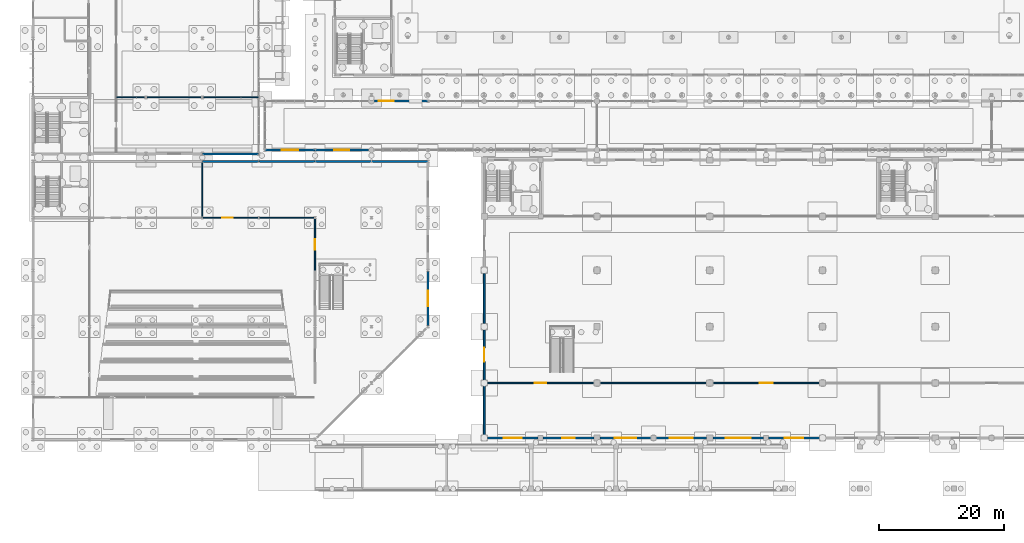
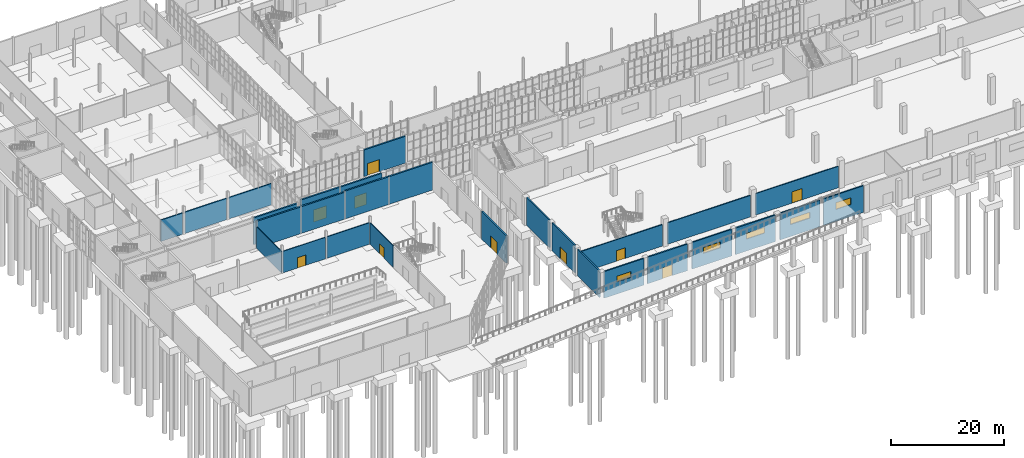
# One storey, part 99 of 131: 28 walls, 10 doors, 5 windows, 15 openings.
"""IFC4 building model written with IfcOpenShell, lengths in metres."""

from ifc_helpers import new_model, si_unit, direction, frame, frame_2d, origin, place, context, subcontext, project, spatial, rectangle, extrude, material, layer, layer_set, type_object, element, fill, save


model = new_model("IFC4")

# Units and contexts
model_context = context("Model", 3, precision=1e-05, world=origin(), true_north=direction((0.0, 1.0)))
body_context = subcontext(model_context, "Body", "Model", "MODEL_VIEW")
ifc_project = project(units=[si_unit("LENGTHUNIT", "METRE"), si_unit("AREAUNIT", "SQUARE_METRE"), si_unit("VOLUMEUNIT", "CUBIC_METRE"), si_unit("PLANEANGLEUNIT", "RADIAN"), si_unit("MASSUNIT", "GRAM", prefix="KILO")], contexts=[model_context])

# Site, building, storey
site_placement = place(None, origin())
site = spatial("IfcSite", under=ifc_project, at=site_placement, CompositionType="ELEMENT")
building_placement = place(site_placement, origin())
building = spatial("IfcBuilding", under=site, at=building_placement, Name="Cazmaro Siding Exhibition Halls", CompositionType="ELEMENT")
storey_placement = place(building_placement, origin())
storey = spatial("IfcBuildingStorey", under=building, at=storey_placement, Name="L00", CompositionType="ELEMENT", Elevation=0.0)

# Wall, opening, door
ifc_material_1 = material(Name="Concrete f'c 45 MPa", Category="concrete")
ifc_layer_1 = layer(ifc_material_1, 0.320068359375)
ifc_layer_set_1 = layer_set([ifc_layer_1], Name="Concrete f'c 45 MPa")
wall_type_1 = type_object("IfcWallType", Name="EW-01", PredefinedType="STANDARD", material=ifc_layer_set_1)
wall_1_placement = place(storey_placement, frame((44.987060546875, 55.199951171875, 0.0), z_axis=(0.0, 0.0, 1.0), x_axis=(-1.0, 0.0, 0.0)))
wall_1 = element("IfcWall", 1, at=wall_1_placement, inside=storey, type_object=wall_type_1, Name="Concourse Courtyard Portal Wall EW-01 WL-E0170", PredefinedType="STANDARD", context=body_context, shape_type="SweptSolid", body=[
    extrude(rectangle(XDim=7.97412109375, YDim=0.320068359375, at=frame_2d((3.987060546875, 0.0))), origin(), (0.0, 0.0, 1.0), 5.780029296875),
])
opening_1_placement = place(wall_1_placement, frame((2.68701171875, 0.0, 0.0)))
opening_1 = element("IfcOpeningElement", 2, at=opening_1_placement, cuts=wall_1, Name="Opening D-E037", PredefinedType="OPENING", context=body_context, shape_type="SweptSolid", body=[
    extrude(rectangle(XDim=2.60009765625, YDim=2.64990234375, at=frame_2d((1.300048828125, 1.324951171875))), frame((0.0, 0.169921875, 0.0), z_axis=(0.0, -1.0, 0.0), x_axis=(1.0, 0.0, 0.0)), (0.0, 0.0, 1.0), 0.340087890625),
])
ifc_material_2 = material(Name="Anodized Bronze Glazed Entrance Door", Category="aluminium")
door_type_1 = type_object("IfcDoorType", Name="ED-07", OperationType="DOUBLE_DOOR_SINGLE_SWING", PredefinedType="DOOR", material=ifc_material_2)
door_1_placement = place(opening_1_placement, origin())
door_1 = element("IfcDoor", 3, at=door_1_placement, inside=storey, type_object=door_type_1, Name="Exterior door D-E037 (ED-07)", OperationType="DOUBLE_DOOR_SINGLE_SWING", OverallHeight=2.64990234375, OverallWidth=2.60009765625, PredefinedType="DOOR", context=body_context, shape_type="SweptSolid", body=[
    extrude(rectangle(XDim=2.60009765625, YDim=2.64990234375, at=frame_2d((1.300048828125, 1.324951171875))), frame((0.0, 0.02490234375, 0.0), z_axis=(0.0, -1.0, 0.0), x_axis=(1.0, 0.0, 0.0)), (0.0, 0.0, 1.0), 0.050048828125),
])
fill(opening_1, door_1)

wall_2_placement = place(storey_placement, frame((53.56494140625, 55.199951171875, 0.0), z_axis=(0.0, 0.0, 1.0), x_axis=(-1.0, 0.0, 0.0)))
wall_2 = element("IfcWall", 4, at=wall_2_placement, inside=storey, type_object=wall_type_1, Name="Concourse Courtyard Portal Wall EW-01 WL-E0171", PredefinedType="STANDARD", context=body_context, shape_type="SweptSolid", body=[
    extrude(rectangle(XDim=8.552001953125, YDim=0.320068359375, at=frame_2d((4.27587890625, 0.0))), origin(), (0.0, 0.0, 1.0), 5.780029296875),
])
opening_2_placement = place(wall_2_placement, frame((3.075927734375, 0.0, 0.0)))
opening_2 = element("IfcOpeningElement", 5, at=opening_2_placement, cuts=wall_2, Name="Opening D-E038", PredefinedType="OPENING", context=body_context, shape_type="SweptSolid", body=[
    extrude(rectangle(XDim=2.39990234375, YDim=2.60009765625, at=frame_2d((1.199951171875, 1.300048828125))), frame((0.0, 0.169921875, 0.0), z_axis=(0.0, -1.0, 0.0), x_axis=(1.0, 0.0, 0.0)), (0.0, 0.0, 1.0), 0.340087890625),
])
ifc_material_3 = material(Name="Anodized Bronze Glazed Entrance Door", Category="aluminium")
door_type_2 = type_object("IfcDoorType", Name="ED-02", OperationType="DOUBLE_DOOR_SINGLE_SWING", PredefinedType="DOOR", material=ifc_material_3)
door_2_placement = place(opening_2_placement, origin())
door_2 = element("IfcDoor", 6, at=door_2_placement, inside=storey, type_object=door_type_2, Name="Exterior door D-E038 (ED-02)", OperationType="DOUBLE_DOOR_SINGLE_SWING", OverallHeight=2.60009765625, OverallWidth=2.39990234375, PredefinedType="DOOR", context=body_context, shape_type="SweptSolid", body=[
    extrude(rectangle(XDim=2.39990234375, YDim=2.60009765625, at=frame_2d((1.199951171875, 1.300048828125))), frame((0.0, 0.02490234375, 0.0), z_axis=(0.0, -1.0, 0.0), x_axis=(1.0, 0.0, 0.0)), (0.0, 0.0, 1.0), 0.050048828125),
])
fill(opening_2, door_2)

wall_3_placement = place(storey_placement, frame((54.43505859375, 63.0, 0.0), z_axis=(0.0, 0.0, 1.0), x_axis=(1.0, 0.0, 0.0)))
wall_3 = element("IfcWall", 7, at=wall_3_placement, inside=storey, type_object=wall_type_1, Name="Concourse North Colonnade Portal Wall EW-01 WL-E0172", PredefinedType="STANDARD", context=body_context, shape_type="SweptSolid", body=[
    extrude(rectangle(XDim=8.552001953125, YDim=0.320068359375, at=frame_2d((4.27587890625, 0.0))), origin(), (0.0, 0.0, 1.0), 5.780029296875),
])
opening_3_placement = place(wall_3_placement, frame((0.715087890625, 0.0, 0.0)))
opening_3 = element("IfcOpeningElement", 8, at=opening_3_placement, cuts=wall_3, Name="Opening D-E039", PredefinedType="OPENING", context=body_context, shape_type="SweptSolid", body=[
    extrude(rectangle(XDim=2.39990234375, YDim=2.60009765625, at=frame_2d((1.199951171875, 1.300048828125))), frame((0.0, 0.169921875, 0.0), z_axis=(0.0, -1.0, 0.0), x_axis=(1.0, 0.0, 0.0)), (0.0, 0.0, 1.0), 0.340087890625),
])
door_3_placement = place(opening_3_placement, origin())
door_3 = element("IfcDoor", 9, at=door_3_placement, inside=storey, type_object=door_type_2, Name="Exterior door D-E039 (ED-02)", OperationType="DOUBLE_DOOR_SINGLE_SWING", OverallHeight=2.60009765625, OverallWidth=2.39990234375, PredefinedType="DOOR", context=body_context, shape_type="SweptSolid", body=[
    extrude(rectangle(XDim=2.39990234375, YDim=2.60009765625, at=frame_2d((1.199951171875, 1.300048828125))), frame((0.0, 0.02490234375, 0.0), z_axis=(0.0, -1.0, 0.0), x_axis=(1.0, 0.0, 0.0)), (0.0, 0.0, 1.0), 0.050048828125),
])
fill(opening_3, door_3)

wall_4_placement = place(storey_placement, frame((63.0, 35.820068359375, 0.0), z_axis=(0.0, 0.0, 1.0), x_axis=(0.0, -1.0, 0.0)))
wall_4 = element("IfcWall", 10, at=wall_4_placement, inside=storey, type_object=wall_type_1, Name="Congress Plaza Entrance Wall EW-01 WL-E0202", PredefinedType="STANDARD", context=body_context, shape_type="SweptSolid", body=[
    extrude(rectangle(XDim=8.64013671875, YDim=0.320068359375, at=frame_2d((4.320068359375, 0.0))), origin(), (0.0, 0.0, 1.0), 6.0),
])
opening_4_placement = place(wall_4_placement, frame((3.1201171875, 0.0, 0.0)))
opening_4 = element("IfcOpeningElement", 11, at=opening_4_placement, cuts=wall_4, Name="Opening D-E056", PredefinedType="OPENING", context=body_context, shape_type="SweptSolid", body=[
    extrude(rectangle(XDim=2.39990234375, YDim=2.60009765625, at=frame_2d((1.199951171875, 1.300048828125))), frame((0.0, 0.169921875, 0.0), z_axis=(0.0, -1.0, 0.0), x_axis=(1.0, 0.0, 0.0)), (0.0, 0.0, 1.0), 0.340087890625),
])
door_4_placement = place(opening_4_placement, origin())
door_4 = element("IfcDoor", 12, at=door_4_placement, inside=storey, type_object=door_type_2, Name="Exterior door D-E056 (ED-02)", OperationType="DOUBLE_DOOR_SINGLE_SWING", OverallHeight=2.60009765625, OverallWidth=2.39990234375, PredefinedType="DOOR", context=body_context, shape_type="SweptSolid", body=[
    extrude(rectangle(XDim=2.39990234375, YDim=2.60009765625, at=frame_2d((1.199951171875, 1.300048828125))), frame((0.0, 0.02490234375, 0.0), z_axis=(0.0, -1.0, 0.0), x_axis=(1.0, 0.0, 0.0)), (0.0, 0.0, 1.0), 0.050048828125),
])
fill(opening_4, door_4)

# Walls
for number, where, z_axis, x_axis, name in (
    (13, (27.014892578125, 53.39990234375, 0.0), (0.0, 0.0, 1.0), (1.0, 0.0, 0.0), "Congress North Seismic Wall EW-01 WL-E0229"),
    (14, (36.014892578125, 53.39990234375, 0.0), (0.0, 0.0, 1.0), (1.0, 0.0, 0.0), "Congress North Seismic Wall EW-01 WL-E0232"),
):
    element("IfcWall", number, at=place(storey_placement, frame(where, z_axis=z_axis, x_axis=x_axis)), inside=storey, type_object=wall_type_1, Name=name, PredefinedType="STANDARD", context=body_context, shape_type="SweptSolid", body=[
        extrude(rectangle(XDim=8.97021484375, YDim=0.320068359375, at=frame_2d((4.485107421875, 0.0))), origin(), (0.0, 0.0, 1.0), 5.780029296875),
    ])
for number, where, z_axis, x_axis, name in (
    (15, (45.014892578125, 53.39990234375, 0.0), (0.0, 0.0, 1.0), (1.0, 0.0, 0.0), "Congress North Seismic Wall EW-01 WL-E0235"),
    (16, (54.014892578125, 53.39990234375, 0.0), (0.0, 0.0, 1.0), (1.0, 0.0, 0.0), "Congress North Seismic Wall EW-01 WL-E0238"),
):
    element("IfcWall", number, at=place(storey_placement, frame(where, z_axis=z_axis, x_axis=x_axis)), inside=storey, type_object=wall_type_1, Name=name, PredefinedType="STANDARD", context=body_context, shape_type="SweptSolid", body=[
        extrude(rectangle(XDim=8.97021484375, YDim=0.320068359375, at=frame_2d((4.485107421875, 0.0))), origin(), (0.0, 0.0, 1.0), 6.0),
    ])
wall_5_placement = place(storey_placement, frame((35.97802734375, 54.60009765625, 0.0), z_axis=(0.0, 0.0, 1.0), x_axis=(-1.0, 0.0, 0.0)))
element("IfcWall", 17, at=wall_5_placement, inside=storey, type_object=wall_type_1, Name="West Wing South Seismic Wall L00 EW-01 WL-E0254", PredefinedType="STANDARD", context=body_context, shape_type="SweptSolid", body=[
    extrude(rectangle(XDim=8.9560546875, YDim=0.320068359375, at=frame_2d((4.47802734375, 0.0))), origin(), (0.0, 0.0, 1.0), 5.780029296875),
])

# Wall, opening, window
ifc_material_4 = material(Name="Precast concrete f'c 40 MPa", Category="concrete")
ifc_layer_2 = layer(ifc_material_4, 0.280029296875)
ifc_layer_set_2 = layer_set([ifc_layer_2], Name="Precast concrete f'c 40 MPa")
wall_type_2 = type_object("IfcWallType", Name="EW-02", PredefinedType="STANDARD", material=ifc_layer_set_2)
wall_6_placement = place(storey_placement, frame((80.60791015625, 9.25, 0.0), z_axis=(0.0, 0.0, 1.0), x_axis=(-1.0, 0.0, 0.0)))
wall_6 = element("IfcWall", 18, at=wall_6_placement, inside=storey, type_object=wall_type_2, Name="Hall B1 South Precast Wall EW-02 WL-E0036", PredefinedType="STANDARD", context=body_context, shape_type="SweptSolid", body=[
    extrude(rectangle(XDim=8.115966796875, YDim=0.280029296875, at=frame_2d((4.05810546875, 0.0))), origin(), (0.0, 0.0, 1.0), 5.75),
])
opening_5_placement = place(wall_6_placement, frame((2.657958984375, 0.0, 2.60009765625)))
opening_5 = element("IfcOpeningElement", 19, at=opening_5_placement, cuts=wall_6, Name="Opening W-018", PredefinedType="OPENING", context=body_context, shape_type="SweptSolid", body=[
    extrude(rectangle(XDim=2.800048828125, YDim=1.25, at=frame_2d((1.39990234375, 0.625))), frame((0.0, 0.14990234375, 0.0), z_axis=(0.0, -1.0, 0.0), x_axis=(1.0, 0.0, 0.0)), (0.0, 0.0, 1.0), 0.300048828125),
])
ifc_material_5 = material(Name="Thermally Broken Aluminum Low-E Window Unit", Category="aluminium")
window_type_1 = type_object("IfcWindowType", Name="WT-19", PartitioningType="SINGLE_PANEL", PredefinedType="WINDOW", material=ifc_material_5)
window_1_placement = place(opening_5_placement, origin())
window_1 = element("IfcWindow", 20, at=window_1_placement, inside=storey, type_object=window_type_1, Name="Window W-018 (WT-19)", OverallHeight=1.25, OverallWidth=2.800048828125, PartitioningType="SINGLE_PANEL", PredefinedType="WINDOW", context=body_context, shape_type="SweptSolid", body=[
    extrude(rectangle(XDim=2.800048828125, YDim=1.25, at=frame_2d((1.39990234375, 0.625))), frame((0.0, 0.030029296875, 0.0), z_axis=(0.0, -1.0, 0.0), x_axis=(1.0, 0.0, 0.0)), (0.0, 0.0, 1.0), 0.06005859375),
])
fill(opening_5, window_1)

# Wall, opening, door
wall_7_placement = place(storey_placement, frame((89.508056640625, 9.25, 0.0), z_axis=(0.0, 0.0, 1.0), x_axis=(-1.0, 0.0, 0.0)))
wall_7 = element("IfcWall", 21, at=wall_7_placement, inside=storey, type_object=wall_type_2, Name="Hall B1 South Precast Wall EW-02 WL-E0042", PredefinedType="STANDARD", context=body_context, shape_type="SweptSolid", body=[
    extrude(rectangle(XDim=8.115966796875, YDim=0.280029296875, at=frame_2d((4.05810546875, 0.0))), origin(), (0.0, 0.0, 1.0), 5.75),
])
opening_6_placement = place(wall_7_placement, frame((3.05810546875, 0.0, 0.0)))
opening_6 = element("IfcOpeningElement", 22, at=opening_6_placement, cuts=wall_7, Name="Opening D-E014", PredefinedType="OPENING", context=body_context, shape_type="SweptSolid", body=[
    extrude(rectangle(XDim=2.0, YDim=2.39990234375, at=frame_2d((1.0, 1.199951171875))), frame((0.0, 0.14990234375, 0.0), z_axis=(0.0, -1.0, 0.0), x_axis=(1.0, 0.0, 0.0)), (0.0, 0.0, 1.0), 0.300048828125),
])
ifc_material_6 = material(Name="Anodized Bronze Glazed Entrance Door", Category="aluminium")
door_type_3 = type_object("IfcDoorType", Name="ED-01", OperationType="DOUBLE_DOOR_SINGLE_SWING", PredefinedType="DOOR", material=ifc_material_6)
door_5_placement = place(opening_6_placement, origin())
door_5 = element("IfcDoor", 23, at=door_5_placement, inside=storey, type_object=door_type_3, Name="Exterior door D-E014 (ED-01)", OperationType="DOUBLE_DOOR_SINGLE_SWING", OverallHeight=2.39990234375, OverallWidth=2.0, PredefinedType="DOOR", context=body_context, shape_type="SweptSolid", body=[
    extrude(rectangle(XDim=2.0, YDim=2.39990234375, at=frame_2d((1.0, 1.199951171875))), frame((0.0, 0.02490234375, 0.0), z_axis=(0.0, -1.0, 0.0), x_axis=(1.0, 0.0, 0.0)), (0.0, 0.0, 1.0), 0.050048828125),
])
fill(opening_6, door_5)

# Wall, opening, window
wall_8_placement = place(storey_placement, frame((98.60791015625, 9.25, 0.0), z_axis=(0.0, 0.0, 1.0), x_axis=(-1.0, 0.0, 0.0)))
wall_8 = element("IfcWall", 24, at=wall_8_placement, inside=storey, type_object=wall_type_2, Name="Hall B1 South Precast Wall EW-02 WL-E0048", PredefinedType="STANDARD", context=body_context, shape_type="SweptSolid", body=[
    extrude(rectangle(XDim=8.115966796875, YDim=0.280029296875, at=frame_2d((4.05810546875, 0.0))), origin(), (0.0, 0.0, 1.0), 5.75),
])
opening_7_placement = place(wall_8_placement, frame((2.35791015625, 0.0, 2.60009765625)))
opening_7 = element("IfcOpeningElement", 25, at=opening_7_placement, cuts=wall_8, Name="Opening W-022", PredefinedType="OPENING", context=body_context, shape_type="SweptSolid", body=[
    extrude(rectangle(XDim=3.39990234375, YDim=1.25, at=frame_2d((1.699951171875, 0.625))), frame((0.0, 0.14990234375, 0.0), z_axis=(0.0, -1.0, 0.0), x_axis=(1.0, 0.0, 0.0)), (0.0, 0.0, 1.0), 0.300048828125),
])
ifc_material_7 = material(Name="Thermally Broken Aluminum Low-E Window Unit", Category="aluminium")
window_type_2 = type_object("IfcWindowType", Name="WT-21", PartitioningType="SINGLE_PANEL", PredefinedType="WINDOW", material=ifc_material_7)
window_2_placement = place(opening_7_placement, origin())
window_2 = element("IfcWindow", 26, at=window_2_placement, inside=storey, type_object=window_type_2, Name="Window W-022 (WT-21)", OverallHeight=1.25, OverallWidth=3.39990234375, PartitioningType="SINGLE_PANEL", PredefinedType="WINDOW", context=body_context, shape_type="SweptSolid", body=[
    extrude(rectangle(XDim=3.39990234375, YDim=1.25, at=frame_2d((1.699951171875, 0.625))), frame((0.0, 0.030029296875, 0.0), z_axis=(0.0, -1.0, 0.0), x_axis=(1.0, 0.0, 0.0)), (0.0, 0.0, 1.0), 0.06005859375),
])
fill(opening_7, window_2)

wall_9_placement = place(storey_placement, frame((107.508056640625, 9.25, 0.0), z_axis=(0.0, 0.0, 1.0), x_axis=(-1.0, 0.0, 0.0)))
wall_9 = element("IfcWall", 27, at=wall_9_placement, inside=storey, type_object=wall_type_2, Name="Hall B1 South Precast Wall EW-02 WL-E0054", PredefinedType="STANDARD", context=body_context, shape_type="SweptSolid", body=[
    extrude(rectangle(XDim=8.115966796875, YDim=0.280029296875, at=frame_2d((4.05810546875, 0.0))), origin(), (0.0, 0.0, 1.0), 5.75),
])
opening_8_placement = place(wall_9_placement, frame((2.2080078125, 0.0, 2.60009765625)))
opening_8 = element("IfcOpeningElement", 28, at=opening_8_placement, cuts=wall_9, Name="Opening W-025", PredefinedType="OPENING", context=body_context, shape_type="SweptSolid", body=[
    extrude(rectangle(XDim=3.699951171875, YDim=1.25, at=frame_2d((1.85009765625, 0.625))), frame((0.0, 0.14990234375, 0.0), z_axis=(0.0, -1.0, 0.0), x_axis=(1.0, 0.0, 0.0)), (0.0, 0.0, 1.0), 0.300048828125),
])
ifc_material_8 = material(Name="Thermally Broken Aluminum Low-E Window Unit", Category="aluminium")
window_type_3 = type_object("IfcWindowType", Name="WT-22", PartitioningType="SINGLE_PANEL", PredefinedType="WINDOW", material=ifc_material_8)
window_3_placement = place(opening_8_placement, origin())
window_3 = element("IfcWindow", 29, at=window_3_placement, inside=storey, type_object=window_type_3, Name="Window W-025 (WT-22)", OverallHeight=1.25, OverallWidth=3.699951171875, PartitioningType="SINGLE_PANEL", PredefinedType="WINDOW", context=body_context, shape_type="SweptSolid", body=[
    extrude(rectangle(XDim=3.699951171875, YDim=1.25, at=frame_2d((1.85009765625, 0.625))), frame((0.0, 0.030029296875, 0.0), z_axis=(0.0, -1.0, 0.0), x_axis=(1.0, 0.0, 0.0)), (0.0, 0.0, 1.0), 0.06005859375),
])
fill(opening_8, window_3)

wall_10_placement = place(storey_placement, frame((116.60791015625, 9.25, 0.0), z_axis=(0.0, 0.0, 1.0), x_axis=(-1.0, 0.0, 0.0)))
wall_10 = element("IfcWall", 30, at=wall_10_placement, inside=storey, type_object=wall_type_2, Name="Hall B1 South Precast Wall EW-02 WL-E0060", PredefinedType="STANDARD", context=body_context, shape_type="SweptSolid", body=[
    extrude(rectangle(XDim=8.115966796875, YDim=0.280029296875, at=frame_2d((4.05810546875, 0.0))), origin(), (0.0, 0.0, 1.0), 5.75),
])
opening_9_placement = place(wall_10_placement, frame((2.05810546875, 0.0, 2.60009765625)))
opening_9 = element("IfcOpeningElement", 31, at=opening_9_placement, cuts=wall_10, Name="Opening W-028", PredefinedType="OPENING", context=body_context, shape_type="SweptSolid", body=[
    extrude(rectangle(XDim=4.0, YDim=1.25, at=frame_2d((2.0, 0.625))), frame((0.0, 0.14990234375, 0.0), z_axis=(0.0, -1.0, 0.0), x_axis=(1.0, 0.0, 0.0)), (0.0, 0.0, 1.0), 0.300048828125),
])
ifc_material_9 = material(Name="Thermally Broken Aluminum Low-E Window Unit", Category="aluminium")
window_type_4 = type_object("IfcWindowType", Name="WT-23", PartitioningType="SINGLE_PANEL", PredefinedType="WINDOW", material=ifc_material_9)
window_4_placement = place(opening_9_placement, origin())
window_4 = element("IfcWindow", 32, at=window_4_placement, inside=storey, type_object=window_type_4, Name="Window W-028 (WT-23)", OverallHeight=1.25, OverallWidth=4.0, PartitioningType="SINGLE_PANEL", PredefinedType="WINDOW", context=body_context, shape_type="SweptSolid", body=[
    extrude(rectangle(XDim=4.0, YDim=1.25, at=frame_2d((2.0, 0.625))), frame((0.0, 0.030029296875, 0.0), z_axis=(0.0, -1.0, 0.0), x_axis=(1.0, 0.0, 0.0)), (0.0, 0.0, 1.0), 0.06005859375),
])
fill(opening_9, window_4)

wall_11_placement = place(storey_placement, frame((125.508056640625, 9.25, 0.0), z_axis=(0.0, 0.0, 1.0), x_axis=(-1.0, 0.0, 0.0)))
wall_11 = element("IfcWall", 33, at=wall_11_placement, inside=storey, type_object=wall_type_2, Name="Hall B1 South Precast Wall EW-02 WL-E0066", PredefinedType="STANDARD", context=body_context, shape_type="SweptSolid", body=[
    extrude(rectangle(XDim=8.115966796875, YDim=0.280029296875, at=frame_2d((4.05810546875, 0.0))), origin(), (0.0, 0.0, 1.0), 5.75),
])
opening_10_placement = place(wall_11_placement, frame((2.55810546875, 0.0, 2.60009765625)))
opening_10 = element("IfcOpeningElement", 34, at=opening_10_placement, cuts=wall_11, Name="Opening W-030", PredefinedType="OPENING", context=body_context, shape_type="SweptSolid", body=[
    extrude(rectangle(XDim=3.0, YDim=1.449951171875, at=frame_2d((1.5, 0.72509765625))), frame((0.0, 0.14990234375, 0.0), z_axis=(0.0, -1.0, 0.0), x_axis=(1.0, 0.0, 0.0)), (0.0, 0.0, 1.0), 0.300048828125),
])
ifc_material_10 = material(Name="Thermally Broken Aluminum Low-E Window Unit", Category="aluminium")
window_type_5 = type_object("IfcWindowType", Name="WT-24", PartitioningType="SINGLE_PANEL", PredefinedType="WINDOW", material=ifc_material_10)
window_5_placement = place(opening_10_placement, origin())
window_5 = element("IfcWindow", 35, at=window_5_placement, inside=storey, type_object=window_type_5, Name="Window W-030 (WT-24)", OverallHeight=1.449951171875, OverallWidth=3.0, PartitioningType="SINGLE_PANEL", PredefinedType="WINDOW", context=body_context, shape_type="SweptSolid", body=[
    extrude(rectangle(XDim=3.0, YDim=1.449951171875, at=frame_2d((1.5, 0.72509765625))), frame((0.0, 0.030029296875, 0.0), z_axis=(0.0, -1.0, 0.0), x_axis=(1.0, 0.0, 0.0)), (0.0, 0.0, 1.0), 0.06005859375),
])
fill(opening_10, window_5)

# Wall
wall_12_placement = place(storey_placement, frame((72.0, 9.741943359375, 0.0), z_axis=(0.0, 0.0, 1.0), x_axis=(0.0, 1.0, 0.0)))
element("IfcWall", 36, at=wall_12_placement, inside=storey, type_object=wall_type_2, Name="Hall B1 West Wall EW-02 WL-E0126", PredefinedType="STANDARD", context=body_context, shape_type="SweptSolid", body=[
    extrude(rectangle(XDim=7.76611328125, YDim=0.280029296875, at=frame_2d((3.883056640625, 0.0))), origin(), (0.0, 0.0, 1.0), 5.75),
])

# Wall, opening, door
wall_13_placement = place(storey_placement, frame((72.0, 18.491943359375, 0.0), z_axis=(0.0, 0.0, 1.0), x_axis=(0.0, 1.0, 0.0)))
wall_13 = element("IfcWall", 37, at=wall_13_placement, inside=storey, type_object=wall_type_2, Name="Hall B1 West Wall EW-02 WL-E0132", PredefinedType="STANDARD", context=body_context, shape_type="SweptSolid", body=[
    extrude(rectangle(XDim=8.01611328125, YDim=0.280029296875, at=frame_2d((4.008056640625, 0.0))), origin(), (0.0, 0.0, 1.0), 6.0),
])
opening_11_placement = place(wall_13_placement, frame((2.907958984375, 0.0, 0.0)))
opening_11 = element("IfcOpeningElement", 38, at=opening_11_placement, cuts=wall_13, Name="Opening D-E024", PredefinedType="OPENING", context=body_context, shape_type="SweptSolid", body=[
    extrude(rectangle(XDim=2.199951171875, YDim=2.5, at=frame_2d((1.10009765625, 1.25))), frame((0.0, 0.14990234375, 0.0), z_axis=(0.0, -1.0, 0.0), x_axis=(1.0, 0.0, 0.0)), (0.0, 0.0, 1.0), 0.300048828125),
])
ifc_material_11 = material(Name="Anodized Bronze Glazed Entrance Door", Category="aluminium")
door_type_4 = type_object("IfcDoorType", Name="ED-06", OperationType="DOUBLE_DOOR_SINGLE_SWING", PredefinedType="DOOR", material=ifc_material_11)
door_6_placement = place(opening_11_placement, origin())
door_6 = element("IfcDoor", 39, at=door_6_placement, inside=storey, type_object=door_type_4, Name="Exterior door D-E024 (ED-06)", OperationType="DOUBLE_DOOR_SINGLE_SWING", OverallHeight=2.5, OverallWidth=2.199951171875, PredefinedType="DOOR", context=body_context, shape_type="SweptSolid", body=[
    extrude(rectangle(XDim=2.199951171875, YDim=2.5, at=frame_2d((1.10009765625, 1.25))), frame((0.0, 0.02490234375, 0.0), z_axis=(0.0, -1.0, 0.0), x_axis=(1.0, 0.0, 0.0)), (0.0, 0.0, 1.0), 0.050048828125),
])
fill(opening_11, door_6)

# Wall
wall_14_placement = place(storey_placement, frame((72.0, 27.491943359375, 0.0), z_axis=(0.0, 0.0, 1.0), x_axis=(0.0, 1.0, 0.0)))
element("IfcWall", 40, at=wall_14_placement, inside=storey, type_object=wall_type_2, Name="Hall B1 West Wall EW-02 WL-E0138", PredefinedType="STANDARD", context=body_context, shape_type="SweptSolid", body=[
    extrude(rectangle(XDim=8.01611328125, YDim=0.280029296875, at=frame_2d((4.008056640625, 0.0))), origin(), (0.0, 0.0, 1.0), 6.0),
])

# Wall, opening, door
ifc_material_12 = material(Name="Moisture-Resistant Gypsum Board on Acoustic Steel Studs", Category="steel")
ifc_layer_3 = layer(ifc_material_12, 0.1650390625)
ifc_layer_set_3 = layer_set([ifc_layer_3], Name="Moisture-Resistant Gypsum Board on Acoustic Steel Studs")
wall_type_3 = type_object("IfcWallType", Name="PW-02", PredefinedType="PARTITIONING", material=ifc_layer_set_3)
wall_15_placement = place(storey_placement, frame((27.178955078125, 44.39990234375, 0.0), z_axis=(0.0, 0.0, 1.0), x_axis=(1.0, 0.0, 0.0)))
wall_15 = element("IfcWall", 41, at=wall_15_placement, inside=storey, type_object=wall_type_3, Name="Auditorium North Restroom Wall PW-02 WL-I0183", PredefinedType="PARTITIONING", context=body_context, shape_type="SweptSolid", body=[
    extrude(rectangle(XDim=8.64208984375, YDim=0.1650390625, at=frame_2d((4.321044921875, 0.0))), origin(), (0.0, 0.0, 1.0), 4.64990234375),
])
opening_12_placement = place(wall_15_placement, frame((3.0, 0.0, 0.0)))
opening_12 = element("IfcOpeningElement", 42, at=opening_12_placement, cuts=wall_15, Name="Opening D-I093", PredefinedType="OPENING", context=body_context, shape_type="SweptSolid", body=[
    extrude(rectangle(XDim=1.64990234375, YDim=2.25, at=frame_2d((0.824951171875, 1.125))), frame((0.0, 0.092529296875, 0.0), z_axis=(0.0, -1.0, 0.0), x_axis=(1.0, 0.0, 0.0)), (0.0, 0.0, 1.0), 0.18505859375),
])
ifc_material_13 = material(Name="Fire-Rated Painted Hollow Metal Door", Category="steel")
door_type_5 = type_object("IfcDoorType", Name="ID-05", OperationType="DOUBLE_DOOR_SINGLE_SWING", PredefinedType="DOOR", material=ifc_material_13)
door_7_placement = place(opening_12_placement, origin())
door_7 = element("IfcDoor", 43, at=door_7_placement, inside=storey, type_object=door_type_5, Name="Interior door D-I093 (ID-05)", OperationType="DOUBLE_DOOR_SINGLE_SWING", OverallHeight=2.25, OverallWidth=1.64990234375, PredefinedType="DOOR", context=body_context, shape_type="SweptSolid", body=[
    extrude(rectangle(XDim=1.64990234375, YDim=2.25, at=frame_2d((0.824951171875, 1.125))), frame((0.0, 0.02490234375, 0.0), z_axis=(0.0, -1.0, 0.0), x_axis=(1.0, 0.0, 0.0)), (0.0, 0.0, 1.0), 0.050048828125),
])
fill(opening_12, door_7)

# Walls
wall_16_placement = place(storey_placement, frame((36.178955078125, 44.39990234375, 0.0), z_axis=(0.0, 0.0, 1.0), x_axis=(1.0, 0.0, 0.0)))
element("IfcWall", 44, at=wall_16_placement, inside=storey, type_object=wall_type_3, Name="Auditorium North Restroom Wall PW-02 WL-I0185", PredefinedType="PARTITIONING", context=body_context, shape_type="SweptSolid", body=[
    extrude(rectangle(XDim=8.64208984375, YDim=0.1650390625, at=frame_2d((4.321044921875, 0.0))), origin(), (0.0, 0.0, 1.0), 4.64990234375),
])
wall_17_placement = place(storey_placement, frame((27.0, 44.5, 0.0), z_axis=(0.0, 0.0, 1.0), x_axis=(0.0, 1.0, 0.0)))
element("IfcWall", 45, at=wall_17_placement, inside=storey, type_object=wall_type_3, Name="Congress Restroom-VIP Divider PW-02 WL-I0186", PredefinedType="PARTITIONING", context=body_context, shape_type="SweptSolid", body=[
    extrude(rectangle(XDim=8.72998046875, YDim=0.1650390625, at=frame_2d((4.364990234375, 0.0))), origin(), (0.0, 0.0, 1.0), 4.64990234375),
])
wall_18_placement = place(storey_placement, frame((13.320068359375, 63.60009765625, 0.0), z_axis=(0.0, 0.0, 1.0), x_axis=(1.0, 0.0, 0.0)))
element("IfcWall", 46, at=wall_18_placement, inside=storey, type_object=wall_type_3, Name="West Wing East Room Divider L00 PW-02 WL-I0191", PredefinedType="PARTITIONING", context=body_context, shape_type="SweptSolid", body=[
    extrude(rectangle(XDim=4.429931640625, YDim=0.1650390625, at=frame_2d((2.21484375, 0.0))), origin(), (0.0, 0.0, 1.0), 4.64990234375),
])
wall_19_placement = place(storey_placement, frame((18.25, 63.60009765625, 0.0), z_axis=(0.0, 0.0, 1.0), x_axis=(1.0, 0.0, 0.0)))
element("IfcWall", 47, at=wall_19_placement, inside=storey, type_object=wall_type_3, Name="West Wing East Room Divider L00 PW-02 WL-I0192", PredefinedType="PARTITIONING", context=body_context, shape_type="SweptSolid", body=[
    extrude(rectangle(XDim=8.5, YDim=0.1650390625, at=frame_2d((4.25, 0.0))), origin(), (0.0, 0.0, 1.0), 4.64990234375),
])
wall_20_placement = place(storey_placement, frame((27.25, 63.60009765625, 0.0), z_axis=(0.0, 0.0, 1.0), x_axis=(1.0, 0.0, 0.0)))
element("IfcWall", 48, at=wall_20_placement, inside=storey, type_object=wall_type_3, Name="West Wing East Room Divider L00 PW-02 WL-I0193", PredefinedType="PARTITIONING", context=body_context, shape_type="SweptSolid", body=[
    extrude(rectangle(XDim=8.68994140625, YDim=0.1650390625, at=frame_2d((4.344970703125, 0.0))), origin(), (0.0, 0.0, 1.0), 4.64990234375),
])

# Wall, opening, door
ifc_material_14 = material(Name="Concrete Masonry Unit Acoustic Partition", Category="masonry")
ifc_layer_4 = layer(ifc_material_14, 0.205078125)
ifc_layer_set_4 = layer_set([ifc_layer_4], Name="Concrete Masonry Unit Acoustic Partition")
wall_type_4 = type_object("IfcWallType", Name="PW-04", PredefinedType="PARTITIONING", material=ifc_layer_set_4)
wall_21_placement = place(storey_placement, frame((72.4951171875, 18.0, 0.0), z_axis=(0.0, 0.0, 1.0), x_axis=(1.0, 0.0, 0.0)))
wall_21 = element("IfcWall", 49, at=wall_21_placement, inside=storey, type_object=wall_type_4, Name="Hall B1 South Plant Partition PW-04 WL-I0147", PredefinedType="PARTITIONING", context=body_context, shape_type="SweptSolid", body=[
    extrude(rectangle(XDim=17.009765625, YDim=0.205078125, at=frame_2d((8.5048828125, 0.0))), origin(), (0.0, 0.0, 1.0), 4.64990234375),
])
opening_13_placement = place(wall_21_placement, frame((7.60498046875, 0.0, 0.0)))
opening_13 = element("IfcOpeningElement", 50, at=opening_13_placement, cuts=wall_21, Name="Opening D-I068", PredefinedType="OPENING", context=body_context, shape_type="SweptSolid", body=[
    extrude(rectangle(XDim=1.800048828125, YDim=2.300048828125, at=frame_2d((0.89990234375, 1.14990234375))), frame((0.0, 0.112548828125, 0.0), z_axis=(0.0, -1.0, 0.0), x_axis=(1.0, 0.0, 0.0)), (0.0, 0.0, 1.0), 0.22509765625),
])
ifc_material_15 = material(Name="Fire-Rated Painted Hollow Metal Door", Category="steel")
door_type_6 = type_object("IfcDoorType", Name="ID-02", OperationType="DOUBLE_DOOR_SINGLE_SWING", PredefinedType="DOOR", material=ifc_material_15)
door_8_placement = place(opening_13_placement, origin())
door_8 = element("IfcDoor", 51, at=door_8_placement, inside=storey, type_object=door_type_6, Name="Interior door D-I068 (ID-02)", OperationType="DOUBLE_DOOR_SINGLE_SWING", OverallHeight=2.300048828125, OverallWidth=1.800048828125, PredefinedType="DOOR", context=body_context, shape_type="SweptSolid", body=[
    extrude(rectangle(XDim=1.800048828125, YDim=2.300048828125, at=frame_2d((0.89990234375, 1.14990234375))), frame((0.0, 0.02490234375, 0.0), z_axis=(0.0, -1.0, 0.0), x_axis=(1.0, 0.0, 0.0)), (0.0, 0.0, 1.0), 0.050048828125),
])
fill(opening_13, door_8)

# Wall
wall_22_placement = place(storey_placement, frame((90.4951171875, 18.0, 0.0), z_axis=(0.0, 0.0, 1.0), x_axis=(1.0, 0.0, 0.0)))
element("IfcWall", 52, at=wall_22_placement, inside=storey, type_object=wall_type_4, Name="Hall B1 South Plant Partition PW-04 WL-I0148", PredefinedType="PARTITIONING", context=body_context, shape_type="SweptSolid", body=[
    extrude(rectangle(XDim=17.009765625, YDim=0.205078125, at=frame_2d((8.5048828125, 0.0))), origin(), (0.0, 0.0, 1.0), 4.64990234375),
])

# Wall, opening, door
wall_23_placement = place(storey_placement, frame((108.4951171875, 18.0, 0.0), z_axis=(0.0, 0.0, 1.0), x_axis=(1.0, 0.0, 0.0)))
wall_23 = element("IfcWall", 53, at=wall_23_placement, inside=storey, type_object=wall_type_4, Name="Hall B1 South Plant Partition PW-04 WL-I0149", PredefinedType="PARTITIONING", context=body_context, shape_type="SweptSolid", body=[
    extrude(rectangle(XDim=17.009765625, YDim=0.205078125, at=frame_2d((8.5048828125, 0.0))), origin(), (0.0, 0.0, 1.0), 4.64990234375),
])
opening_14_placement = place(wall_23_placement, frame((7.455078125, 0.0, 0.0)))
opening_14 = element("IfcOpeningElement", 54, at=opening_14_placement, cuts=wall_23, Name="Opening D-I069", PredefinedType="OPENING", context=body_context, shape_type="SweptSolid", body=[
    extrude(rectangle(XDim=2.10009765625, YDim=2.449951171875, at=frame_2d((1.050048828125, 1.22509765625))), frame((0.0, 0.112548828125, 0.0), z_axis=(0.0, -1.0, 0.0), x_axis=(1.0, 0.0, 0.0)), (0.0, 0.0, 1.0), 0.22509765625),
])
ifc_material_16 = material(Name="Fire-Rated Painted Hollow Metal Door", Category="steel")
door_type_7 = type_object("IfcDoorType", Name="ID-12", OperationType="DOUBLE_DOOR_SINGLE_SWING", PredefinedType="DOOR", material=ifc_material_16)
door_9_placement = place(opening_14_placement, origin())
door_9 = element("IfcDoor", 55, at=door_9_placement, inside=storey, type_object=door_type_7, Name="Interior door D-I069 (ID-12)", OperationType="DOUBLE_DOOR_SINGLE_SWING", OverallHeight=2.449951171875, OverallWidth=2.10009765625, PredefinedType="DOOR", context=body_context, shape_type="SweptSolid", body=[
    extrude(rectangle(XDim=2.10009765625, YDim=2.449951171875, at=frame_2d((1.050048828125, 1.22509765625))), frame((0.0, 0.02490234375, 0.0), z_axis=(0.0, -1.0, 0.0), x_axis=(1.0, 0.0, 0.0)), (0.0, 0.0, 1.0), 0.050048828125),
])
fill(opening_14, door_9)

wall_24_placement = place(storey_placement, frame((45.0, 36.0, 0.0), z_axis=(0.0, 0.0, 1.0), x_axis=(0.0, 1.0, 0.0)))
wall_24 = element("IfcWall", 56, at=wall_24_placement, inside=storey, type_object=wall_type_4, Name="Auditorium East Acoustic Wall PW-04 WL-I0173", PredefinedType="PARTITIONING", context=body_context, shape_type="SweptSolid", body=[
    extrude(rectangle(XDim=8.22705078125, YDim=0.205078125, at=frame_2d((4.113525390625, 0.0))), origin(), (0.0, 0.0, 1.0), 4.64990234375),
])
opening_15_placement = place(wall_24_placement, frame((3.2880859375, 0.0, 0.0)))
opening_15 = element("IfcOpeningElement", 57, at=opening_15_placement, cuts=wall_24, Name="Opening D-I086", PredefinedType="OPENING", context=body_context, shape_type="SweptSolid", body=[
    extrude(rectangle(XDim=1.64990234375, YDim=2.25, at=frame_2d((0.824951171875, 1.125))), frame((0.0, 0.112548828125, 0.0), z_axis=(0.0, -1.0, 0.0), x_axis=(1.0, 0.0, 0.0)), (0.0, 0.0, 1.0), 0.22509765625),
])
door_10_placement = place(opening_15_placement, origin())
door_10 = element("IfcDoor", 58, at=door_10_placement, inside=storey, type_object=door_type_5, Name="Interior door D-I086 (ID-05)", OperationType="DOUBLE_DOOR_SINGLE_SWING", OverallHeight=2.25, OverallWidth=1.64990234375, PredefinedType="DOOR", context=body_context, shape_type="SweptSolid", body=[
    extrude(rectangle(XDim=1.64990234375, YDim=2.25, at=frame_2d((0.824951171875, 1.125))), frame((0.0, 0.02490234375, 0.0), z_axis=(0.0, -1.0, 0.0), x_axis=(1.0, 0.0, 0.0)), (0.0, 0.0, 1.0), 0.050048828125),
])
fill(opening_15, door_10)

save(model, "model.ifc")
